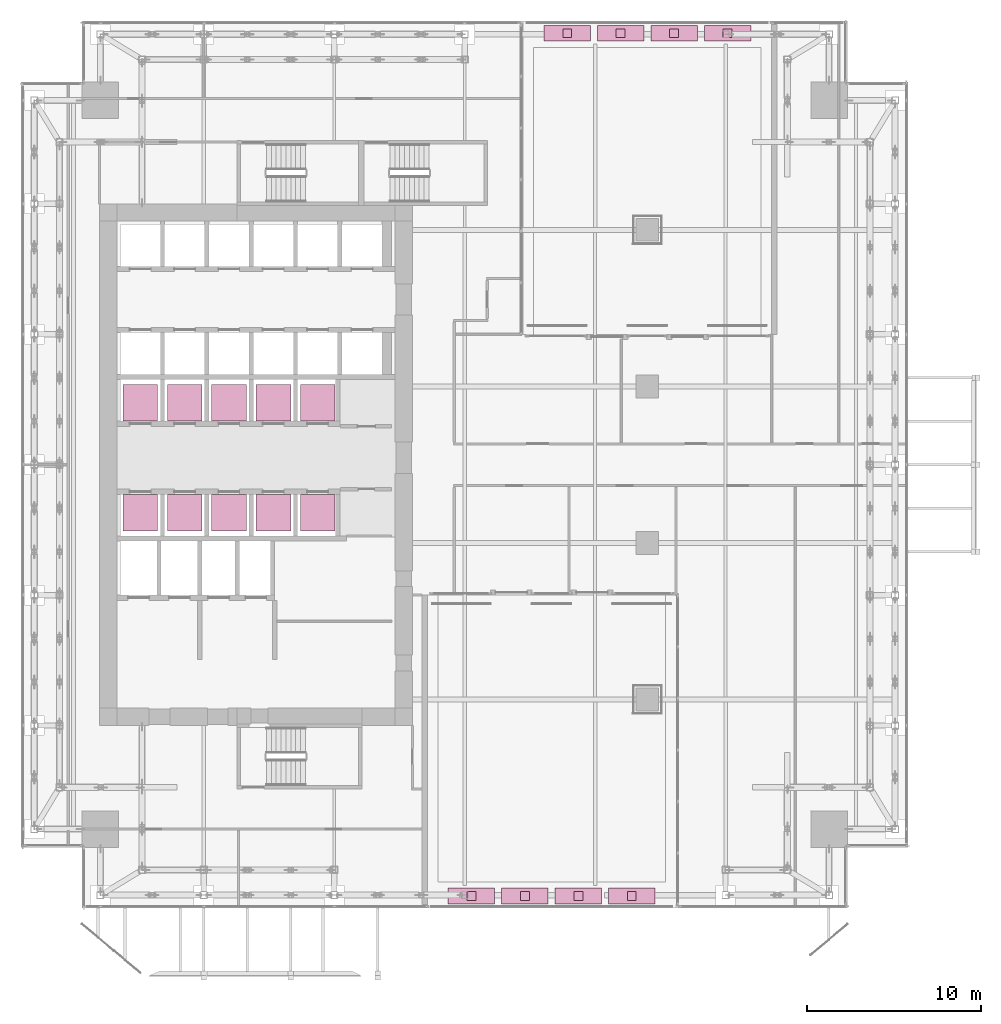
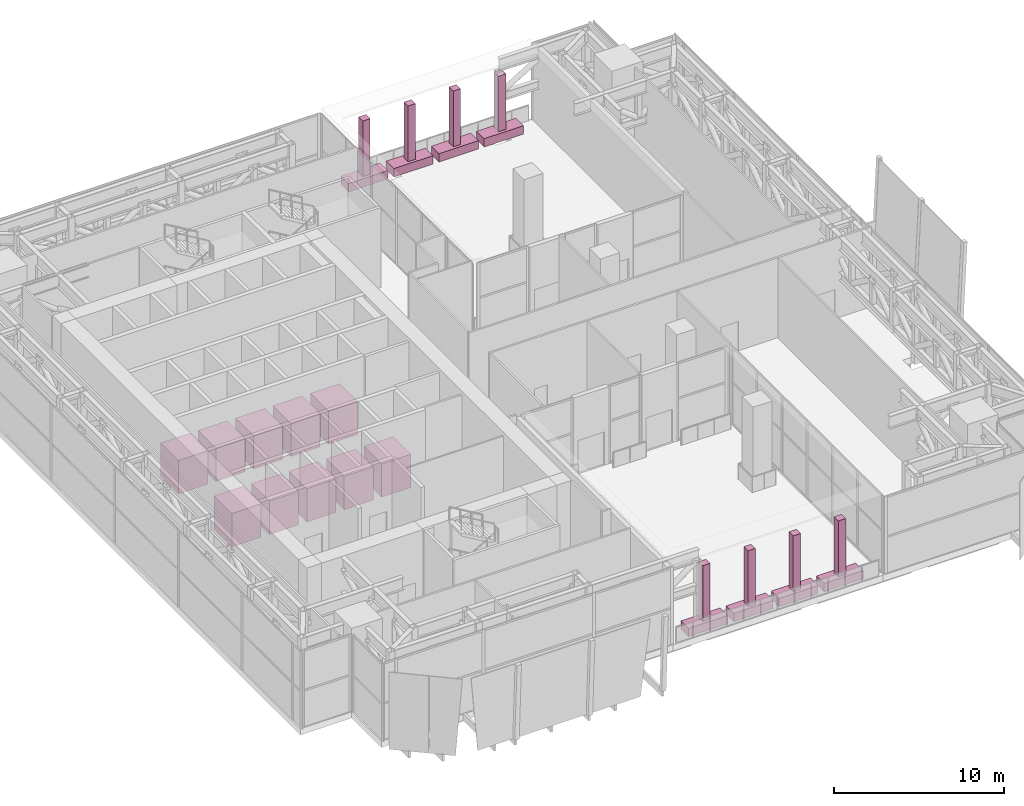
# One storey, part 47 of 47: 16 furnishings, 10 transport elements.
"""IFC4 building model written with IfcOpenShell, lengths in metres."""

from ifc_helpers import new_model, si_unit, direction, frame, origin, origin_2d, place, context, subcontext, project, spatial, rectangle, extrude, source, transform, mapped, material, type_object, element, save


model = new_model("IFC4")

# Units and contexts
model_context = context("Model", 3, precision=1e-05, world=origin(), true_north=direction((0.0, 1.0)))
body_context = subcontext(model_context, "Body", "Model", "MODEL_VIEW")
ifc_project = project(units=[si_unit("LENGTHUNIT", "METRE"), si_unit("AREAUNIT", "SQUARE_METRE"), si_unit("VOLUMEUNIT", "CUBIC_METRE"), si_unit("PLANEANGLEUNIT", "RADIAN"), si_unit("MASSUNIT", "GRAM", prefix="KILO")], contexts=[model_context])

# Site, building, storey
site_placement = place(None, origin())
site = spatial("IfcSite", under=ifc_project, at=site_placement, CompositionType="ELEMENT")
building_placement = place(site_placement, origin())
building = spatial("IfcBuilding", under=site, at=building_placement, Name="Khomas Fold Tower", CompositionType="ELEMENT")
storey_placement = place(building_placement, frame((0.0, 0.0, 158.699951171875)))
storey = spatial("IfcBuildingStorey", under=building, at=storey_placement, Name="L34", CompositionType="ELEMENT", Elevation=158.699951171875)

# Furnishings
ifc_material_1 = material(Name="Precast concrete C40/50", Category="concrete")
furnishing_element_type_1 = type_object("IfcFurnishingElementType", Name="Garden planter box", material=ifc_material_1)
shared_shape_1 = source(origin(), body_context, "Body", "SweptSolid", [
    extrude(rectangle(XDim=2.675048828125, YDim=0.89990234375, at=origin_2d()), origin(), (0.0, 0.0, 1.0), 0.60009765625),
])
for number, where, z_axis, x_axis, name in (
    (1, (27.387451171875, 2.199951171875, 0.0), (0.0, 0.0, 1.0), (1.0, 0.0, 0.0), "Garden planter"),
    (2, (30.46240234375, 2.199951171875, 0.0), (0.0, 0.0, 1.0), (1.0, 0.0, 0.0), "Garden planter"),
    (3, (33.53759765625, 2.199951171875, 0.0), (0.0, 0.0, 1.0), (1.0, 0.0, 0.0), "Garden planter"),
    (4, (36.612548828125, 2.199951171875, 0.0), (0.0, 0.0, 1.0), (1.0, 0.0, 0.0), "Garden planter"),
    (5, (32.887451171875, 51.800048828125, 0.0), (0.0, 0.0, 1.0), (1.0, 0.0, 0.0), "Garden planter"),
    (6, (35.96240234375, 51.800048828125, 0.0), (0.0, 0.0, 1.0), (1.0, 0.0, 0.0), "Garden planter"),
    (7, (39.03759765625, 51.800048828125, 0.0), (0.0, 0.0, 1.0), (1.0, 0.0, 0.0), "Garden planter"),
    (8, (42.112548828125, 51.800048828125, 0.0), (0.0, 0.0, 1.0), (1.0, 0.0, 0.0), "Garden planter"),
):
    element("IfcFurnishingElement", number, at=place(storey_placement, frame(where, z_axis=z_axis, x_axis=x_axis)), inside=storey, type_object=furnishing_element_type_1, Name=name, context=body_context, shape_type="MappedRepresentation", body=[
        mapped(shared_shape_1, transform((0.0, 0.0, 0.0))),
    ])
ifc_material_2 = material(Name="Planting")
furnishing_element_type_2 = type_object("IfcFurnishingElementType", Name="Garden tree", material=ifc_material_2)
shared_shape_2 = source(origin(), body_context, "Body", "SweptSolid", [
    extrude(rectangle(XDim=0.5, YDim=0.5, at=origin_2d()), origin(), (0.0, 0.0, 1.0), 4.0),
])
for number, where, z_axis, x_axis, name in (
    (9, (27.387451171875, 2.199951171875, 0.60009765625), (0.0, 0.0, 1.0), (1.0, 0.0, 0.0), "Garden tree"),
    (10, (30.46240234375, 2.199951171875, 0.60009765625), (0.0, 0.0, 1.0), (1.0, 0.0, 0.0), "Garden tree"),
    (11, (33.53759765625, 2.199951171875, 0.60009765625), (0.0, 0.0, 1.0), (1.0, 0.0, 0.0), "Garden tree"),
    (12, (36.612548828125, 2.199951171875, 0.60009765625), (0.0, 0.0, 1.0), (1.0, 0.0, 0.0), "Garden tree"),
    (13, (32.887451171875, 51.800048828125, 0.60009765625), (0.0, 0.0, 1.0), (1.0, 0.0, 0.0), "Garden tree"),
    (14, (35.96240234375, 51.800048828125, 0.60009765625), (0.0, 0.0, 1.0), (1.0, 0.0, 0.0), "Garden tree"),
    (15, (39.03759765625, 51.800048828125, 0.60009765625), (0.0, 0.0, 1.0), (1.0, 0.0, 0.0), "Garden tree"),
    (16, (42.112548828125, 51.800048828125, 0.60009765625), (0.0, 0.0, 1.0), (1.0, 0.0, 0.0), "Garden tree"),
):
    element("IfcFurnishingElement", number, at=place(storey_placement, frame(where, z_axis=z_axis, x_axis=x_axis)), inside=storey, type_object=furnishing_element_type_2, Name=name, context=body_context, shape_type="MappedRepresentation", body=[
        mapped(shared_shape_2, transform((0.0, 0.0, 0.0))),
    ])

# Transport elements
ifc_material_3 = material(Name="Stainless steel", Category="steel")
transport_element_type_1 = type_object("IfcTransportElementType", Name="High-rise passenger lift 2000x2100", PredefinedType="ELEVATOR", material=ifc_material_3)
shared_shape_3 = source(origin(), body_context, "Body", "SweptSolid", [
    extrude(rectangle(XDim=2.0, YDim=2.10009765625, at=origin_2d()), origin(), (0.0, 0.0, 1.0), 2.39990234375),
])
for number, where, z_axis, x_axis, name in (
    (17, (8.35009765625, 24.25, 0.0), (0.0, 0.0, 1.0), (1.0, 0.0, 0.0), "HR1"),
    (18, (10.89990234375, 24.25, 0.0), (0.0, 0.0, 1.0), (1.0, 0.0, 0.0), "HR2"),
    (19, (13.449951171875, 24.25, 0.0), (0.0, 0.0, 1.0), (1.0, 0.0, 0.0), "HR3"),
):
    element("IfcTransportElement", number, at=place(storey_placement, frame(where, z_axis=z_axis, x_axis=x_axis)), inside=storey, type_object=transport_element_type_1, Name=name, PredefinedType="ELEVATOR", context=body_context, shape_type="MappedRepresentation", body=[
        mapped(shared_shape_3, transform((0.0, 0.0, 0.0))),
    ])
ifc_material_4 = material(Name="Stainless steel", Category="steel")
transport_element_type_2 = type_object("IfcTransportElementType", Name="Mid-rise passenger lift 2000x2100", PredefinedType="ELEVATOR", material=ifc_material_4)
for number, where, z_axis, x_axis, name in (
    (20, (16.0, 24.25, 0.0), (0.0, 0.0, 1.0), (1.0, 0.0, 0.0), "MR1"),
    (21, (18.550048828125, 24.25, 0.0), (0.0, 0.0, 1.0), (1.0, 0.0, 0.0), "MR2"),
):
    element("IfcTransportElement", number, at=place(storey_placement, frame(where, z_axis=z_axis, x_axis=x_axis)), inside=storey, type_object=transport_element_type_2, Name=name, PredefinedType="ELEVATOR", context=body_context, shape_type="MappedRepresentation", body=[
        mapped(shared_shape_3, transform((0.0, 0.0, 0.0))),
    ])
for number, where, z_axis, x_axis, name in (
    (22, (8.35009765625, 30.550048828125, 0.0), (0.0, 0.0, 1.0), (1.0, 0.0, 0.0), "HR4"),
    (23, (10.89990234375, 30.550048828125, 0.0), (0.0, 0.0, 1.0), (1.0, 0.0, 0.0), "HR5"),
    (24, (13.449951171875, 30.550048828125, 0.0), (0.0, 0.0, 1.0), (1.0, 0.0, 0.0), "HR6"),
):
    element("IfcTransportElement", number, at=place(storey_placement, frame(where, z_axis=z_axis, x_axis=x_axis)), inside=storey, type_object=transport_element_type_1, Name=name, PredefinedType="ELEVATOR", context=body_context, shape_type="MappedRepresentation", body=[
        mapped(shared_shape_3, transform((0.0, 0.0, 0.0))),
    ])
for number, where, z_axis, x_axis, name in (
    (25, (16.0, 30.550048828125, 0.0), (0.0, 0.0, 1.0), (1.0, 0.0, 0.0), "MR3"),
    (26, (18.550048828125, 30.550048828125, 0.0), (0.0, 0.0, 1.0), (1.0, 0.0, 0.0), "MR4"),
):
    element("IfcTransportElement", number, at=place(storey_placement, frame(where, z_axis=z_axis, x_axis=x_axis)), inside=storey, type_object=transport_element_type_2, Name=name, PredefinedType="ELEVATOR", context=body_context, shape_type="MappedRepresentation", body=[
        mapped(shared_shape_3, transform((0.0, 0.0, 0.0))),
    ])

save(model, "model.ifc")
